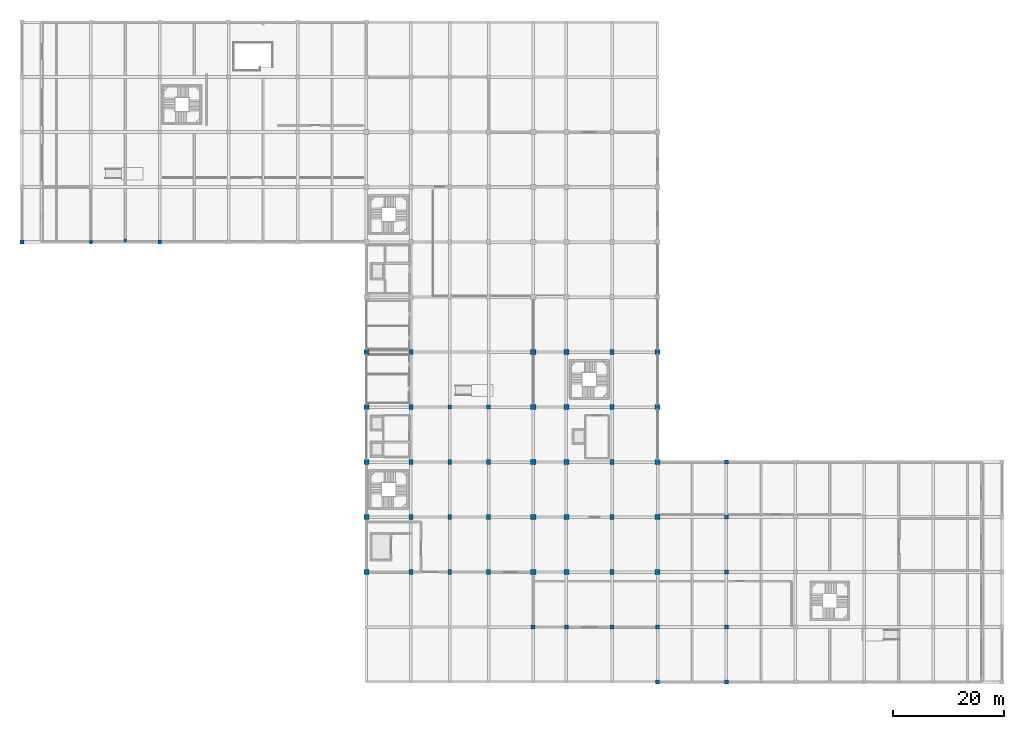
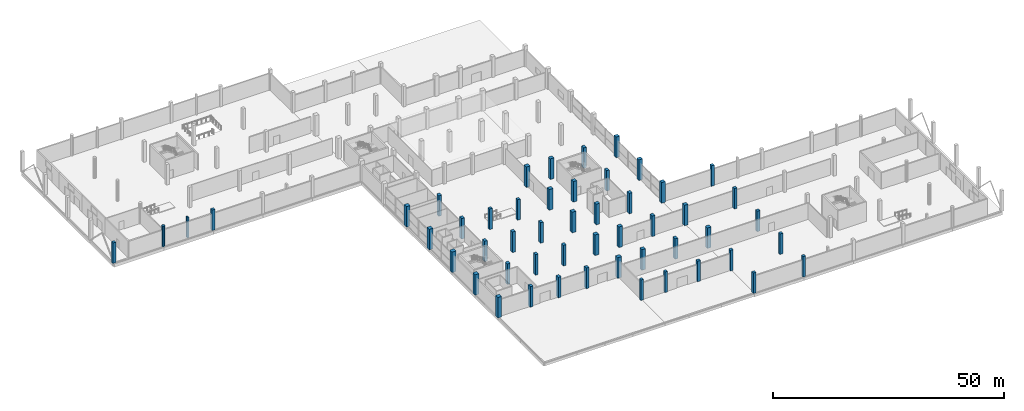
# One storey, part 1 of 50: 52 columns.
"""IFC4 building model written with IfcOpenShell, lengths in metres."""

from ifc_helpers import new_model, si_unit, direction, frame, origin, origin_2d, place, context, subcontext, project, spatial, rectangle, circle, extrude, material, material_profile, profile_set, type_object, element, save


model = new_model("IFC4")

# Units and contexts
model_context = context("Model", 3, precision=1e-05, world=origin(), true_north=direction((0.0, 1.0)))
body_context = subcontext(model_context, "Body", "Model", "MODEL_VIEW")
ifc_project = project(units=[si_unit("LENGTHUNIT", "METRE"), si_unit("AREAUNIT", "SQUARE_METRE"), si_unit("VOLUMEUNIT", "CUBIC_METRE"), si_unit("PLANEANGLEUNIT", "RADIAN"), si_unit("MASSUNIT", "GRAM", prefix="KILO")], contexts=[model_context])

# Site, building, storey
site_placement = place(None, origin())
site = spatial("IfcSite", under=ifc_project, at=site_placement, CompositionType="ELEMENT")
building_placement = place(site_placement, origin())
building = spatial("IfcBuilding", under=site, at=building_placement, Name="Sillaruma Civic Art Gallery", CompositionType="ELEMENT")
storey_placement = place(building_placement, origin())
storey = spatial("IfcBuildingStorey", under=building, at=storey_placement, Name="L00", CompositionType="ELEMENT", Elevation=0.0)

# Columns
ifc_material = material(Name="Concrete H40 (40 MPa)", Category="concrete")
ifc_material_profile_1 = material_profile(ifc_material, rectangle(XDim=0.699951171875, YDim=0.699951171875, at=origin_2d()), Name="RC700x700")
ifc_profile_set_1 = profile_set([ifc_material_profile_1], Name="Concrete H40 (40 MPa)")
column_type_1 = type_object("IfcColumnType", Name="COL-COLUMN-RC700x700", PredefinedType="COLUMN", material=ifc_profile_set_1)
for number, where, z_axis, x_axis, name in (
    (1, (0.0, 79.199951171875, 0.0), (0.0, 0.0, 1.0), (1.0, 0.0, 0.0), "Column C-06 (L00:A9)"),
    (2, (24.800048828125, 79.199951171875, 0.0), (0.0, 0.0, 1.0), (1.0, 0.0, 0.0), "Column C-06 (L00:C9)"),
    (3, (77.0, 49.5, 0.0), (0.0, 0.0, 1.0), (1.0, 0.0, 0.0), "Column C-06 (L00:H6)"),
    (4, (84.0, 49.5, 0.0), (0.0, 0.0, 1.0), (1.0, 0.0, 0.0), "Column C-06 (L00:J6)"),
    (5, (92.0, 9.89990234375, 0.0), (0.0, 0.0, 1.0), (1.0, 0.0, 0.0), "Column C-06 (L00:K2)"),
    (6, (98.0, 9.89990234375, 0.0), (0.0, 0.0, 1.0), (1.0, 0.0, 0.0), "Column C-06 (L00:L2)"),
    (7, (106.199951171875, 9.89990234375, 0.0), (0.0, 0.0, 1.0), (1.0, 0.0, 0.0), "Column C-06 (L00:M2)"),
    (8, (114.39990234375, 0.0, 0.0), (0.0, 0.0, 1.0), (1.0, 0.0, 0.0), "Column C-06 (L00:N1)"),
    (9, (114.39990234375, 9.89990234375, 0.0), (0.0, 0.0, 1.0), (1.0, 0.0, 0.0), "Column C-06 (L00:N2)"),
    (10, (126.800048828125, 0.0, 0.0), (0.0, 0.0, 1.0), (1.0, 0.0, 0.0), "Column C-06 (L00:P1)"),
    (11, (126.800048828125, 9.89990234375, 0.0), (0.0, 0.0, 1.0), (1.0, 0.0, 0.0), "Column C-06 (L00:P2)"),
    (12, (126.800048828125, 19.800048828125, 0.0), (0.0, 0.0, 1.0), (1.0, 0.0, 0.0), "Column C-06 (L00:P3)"),
    (13, (126.800048828125, 29.699951171875, 0.0), (0.0, 0.0, 1.0), (1.0, 0.0, 0.0), "Column C-06 (L00:P4)"),
    (14, (126.800048828125, 39.60009765625, 0.0), (0.0, 0.0, 1.0), (1.0, 0.0, 0.0), "Column C-06 (L00:P5)"),
):
    element("IfcColumn", number, at=place(storey_placement, frame(where, z_axis=z_axis, x_axis=x_axis)), inside=storey, type_object=column_type_1, Name=name, PredefinedType="COLUMN", context=body_context, shape_type="SweptSolid", body=[
        extrude(rectangle(XDim=0.699951171875, YDim=0.699951171875, at=origin_2d()), origin(), (0.0, 0.0, 1.0), 5.43994140625),
    ])
ifc_material_profile_2 = material_profile(ifc_material, rectangle(XDim=0.699951171875, YDim=0.89990234375, at=origin_2d()), Name="RC900x700")
ifc_profile_set_2 = profile_set([ifc_material_profile_2], Name="Concrete H40 (40 MPa)")
column_type_2 = type_object("IfcColumnType", Name="COL-COLUMN-RC900x700", PredefinedType="COLUMN", material=ifc_profile_set_2)
for number, where, z_axis, x_axis, name in (
    (15, (70.0, 19.800048828125, 0.0), (0.0, 0.0, 1.0), (1.0, 0.0, 0.0), "Column C-09 (L00:G3)"),
    (16, (70.0, 29.699951171875, 0.0), (0.0, 0.0, 1.0), (1.0, 0.0, 0.0), "Column C-09 (L00:G4)"),
    (17, (70.0, 39.60009765625, 0.0), (0.0, 0.0, 1.0), (1.0, 0.0, 0.0), "Column C-09 (L00:G5)"),
    (18, (70.0, 49.5, 0.0), (0.0, 0.0, 1.0), (1.0, 0.0, 0.0), "Column C-09 (L00:G6)"),
    (19, (70.0, 59.39990234375, 0.0), (0.0, 0.0, 1.0), (1.0, 0.0, 0.0), "Column C-09 (L00:G7)"),
    (20, (77.0, 19.800048828125, 0.0), (0.0, 0.0, 1.0), (1.0, 0.0, 0.0), "Column C-09 (L00:H3)"),
    (21, (77.0, 29.699951171875, 0.0), (0.0, 0.0, 1.0), (1.0, 0.0, 0.0), "Column C-09 (L00:H4)"),
    (22, (77.0, 39.60009765625, 0.0), (0.0, 0.0, 1.0), (1.0, 0.0, 0.0), "Column C-09 (L00:H5)"),
    (23, (84.0, 19.800048828125, 0.0), (0.0, 0.0, 1.0), (1.0, 0.0, 0.0), "Column C-09 (L00:J3)"),
    (24, (84.0, 29.699951171875, 0.0), (0.0, 0.0, 1.0), (1.0, 0.0, 0.0), "Column C-09 (L00:J4)"),
    (25, (84.0, 39.60009765625, 0.0), (0.0, 0.0, 1.0), (1.0, 0.0, 0.0), "Column C-09 (L00:J5)"),
    (26, (106.199951171875, 19.800048828125, 0.0), (0.0, 0.0, 1.0), (1.0, 0.0, 0.0), "Column C-09 (L00:M3)"),
    (27, (106.199951171875, 29.699951171875, 0.0), (0.0, 0.0, 1.0), (1.0, 0.0, 0.0), "Column C-09 (L00:M4)"),
    (28, (106.199951171875, 39.60009765625, 0.0), (0.0, 0.0, 1.0), (1.0, 0.0, 0.0), "Column C-09 (L00:M5)"),
    (29, (106.199951171875, 49.5, 0.0), (0.0, 0.0, 1.0), (1.0, 0.0, 0.0), "Column C-09 (L00:M6)"),
    (30, (106.199951171875, 59.39990234375, 0.0), (0.0, 0.0, 1.0), (1.0, 0.0, 0.0), "Column C-09 (L00:M7)"),
):
    element("IfcColumn", number, at=place(storey_placement, frame(where, z_axis=z_axis, x_axis=x_axis)), inside=storey, type_object=column_type_2, Name=name, PredefinedType="COLUMN", context=body_context, shape_type="SweptSolid", body=[
        extrude(rectangle(XDim=0.699951171875, YDim=0.89990234375, at=origin_2d()), origin(), (0.0, 0.0, 1.0), 5.43994140625),
    ])
ifc_material_profile_3 = material_profile(ifc_material, rectangle(XDim=0.89990234375, YDim=0.89990234375, at=origin_2d()), Name="RC900x900")
ifc_profile_set_3 = profile_set([ifc_material_profile_3], Name="Concrete H40 (40 MPa)")
column_type_3 = type_object("IfcColumnType", Name="COL-COLUMN-RC900x900", PredefinedType="COLUMN", material=ifc_profile_set_3)
for number, where, z_axis, x_axis, name in (
    (31, (98.0, 19.800048828125, 0.0), (0.0, 0.0, 1.0), (1.0, 0.0, 0.0), "Column C-02 (L00:L3)"),
    (32, (98.0, 29.699951171875, 0.0), (0.0, 0.0, 1.0), (1.0, 0.0, 0.0), "Column C-02 (L00:L4)"),
    (33, (98.0, 39.60009765625, 0.0), (0.0, 0.0, 1.0), (1.0, 0.0, 0.0), "Column C-02 (L00:L5)"),
    (34, (98.0, 49.5, 0.0), (0.0, 0.0, 1.0), (1.0, 0.0, 0.0), "Column C-02 (L00:L6)"),
    (35, (98.0, 59.39990234375, 0.0), (0.0, 0.0, 1.0), (1.0, 0.0, 0.0), "Column C-02 (L00:L7)"),
    (36, (114.39990234375, 19.800048828125, 0.0), (0.0, 0.0, 1.0), (1.0, 0.0, 0.0), "Column C-02 (L00:N3)"),
    (37, (114.39990234375, 29.699951171875, 0.0), (0.0, 0.0, 1.0), (1.0, 0.0, 0.0), "Column C-02 (L00:N4)"),
    (38, (114.39990234375, 39.60009765625, 0.0), (0.0, 0.0, 1.0), (1.0, 0.0, 0.0), "Column C-02 (L00:N5)"),
    (39, (114.39990234375, 49.5, 0.0), (0.0, 0.0, 1.0), (1.0, 0.0, 0.0), "Column C-02 (L00:N6)"),
    (40, (114.39990234375, 59.39990234375, 0.0), (0.0, 0.0, 1.0), (1.0, 0.0, 0.0), "Column C-02 (L00:N7)"),
):
    element("IfcColumn", number, at=place(storey_placement, frame(where, z_axis=z_axis, x_axis=x_axis)), inside=storey, type_object=column_type_3, Name=name, PredefinedType="COLUMN", context=body_context, shape_type="SweptSolid", body=[
        extrude(rectangle(XDim=0.89990234375, YDim=0.89990234375, at=origin_2d()), origin(), (0.0, 0.0, 1.0), 5.43994140625),
    ])
ifc_material_profile_4 = material_profile(ifc_material, rectangle(XDim=0.949951171875, YDim=0.949951171875, at=origin_2d()), Name="RC950x950")
ifc_profile_set_4 = profile_set([ifc_material_profile_4], Name="Concrete H40 (40 MPa)")
column_type_4 = type_object("IfcColumnType", Name="COL-COLUMN-RC950x950", PredefinedType="COLUMN", material=ifc_profile_set_4)
for number, where, z_axis, x_axis, name in (
    (41, (62.0, 19.800048828125, 0.0), (0.0, 0.0, 1.0), (1.0, 0.0, 0.0), "Column C-01 (L00:F3)"),
    (42, (62.0, 29.699951171875, 0.0), (0.0, 0.0, 1.0), (1.0, 0.0, 0.0), "Column C-01 (L00:F4)"),
    (43, (62.0, 39.60009765625, 0.0), (0.0, 0.0, 1.0), (1.0, 0.0, 0.0), "Column C-01 (L00:F5)"),
    (44, (62.0, 49.5, 0.0), (0.0, 0.0, 1.0), (1.0, 0.0, 0.0), "Column C-01 (L00:F6)"),
    (45, (62.0, 59.39990234375, 0.0), (0.0, 0.0, 1.0), (1.0, 0.0, 0.0), "Column C-01 (L00:F7)"),
    (46, (92.0, 19.800048828125, 0.0), (0.0, 0.0, 1.0), (1.0, 0.0, 0.0), "Column C-01 (L00:K3)"),
    (47, (92.0, 29.699951171875, 0.0), (0.0, 0.0, 1.0), (1.0, 0.0, 0.0), "Column C-01 (L00:K4)"),
    (48, (92.0, 39.60009765625, 0.0), (0.0, 0.0, 1.0), (1.0, 0.0, 0.0), "Column C-01 (L00:K5)"),
    (49, (92.0, 49.5, 0.0), (0.0, 0.0, 1.0), (1.0, 0.0, 0.0), "Column C-01 (L00:K6)"),
    (50, (92.0, 59.39990234375, 0.0), (0.0, 0.0, 1.0), (1.0, 0.0, 0.0), "Column C-01 (L00:K7)"),
):
    element("IfcColumn", number, at=place(storey_placement, frame(where, z_axis=z_axis, x_axis=x_axis)), inside=storey, type_object=column_type_4, Name=name, PredefinedType="COLUMN", context=body_context, shape_type="SweptSolid", body=[
        extrude(rectangle(XDim=0.949951171875, YDim=0.949951171875, at=origin_2d()), origin(), (0.0, 0.0, 1.0), 5.43994140625),
    ])
ifc_material_profile_5 = material_profile(ifc_material, circle(Radius=0.360107421875, at=origin_2d()), Name="RCC720")
ifc_profile_set_5 = profile_set([ifc_material_profile_5], Name="Concrete H40 (40 MPa)")
column_type_5 = type_object("IfcColumnType", Name="COL-COLUMN-RCC720", PredefinedType="COLUMN", material=ifc_profile_set_5)
column_1_placement = place(storey_placement, frame((12.39990234375, 79.199951171875, 0.0), z_axis=(0.0, 0.0, 1.0), x_axis=(1.0, 0.0, 0.0)))
element("IfcColumn", 51, at=column_1_placement, inside=storey, type_object=column_type_5, Name="Column CC-02 (L00:B9)", PredefinedType="COLUMN", context=body_context, shape_type="SweptSolid", body=[
    extrude(circle(Radius=0.360107421875, at=origin_2d()), origin(), (0.0, 0.0, 1.0), 5.43994140625),
])
ifc_material_profile_6 = material_profile(ifc_material, rectangle(XDim=0.3798828125, YDim=0.5, at=origin_2d()), Name="RC500x380")
ifc_profile_set_6 = profile_set([ifc_material_profile_6], Name="Concrete H40 (40 MPa)")
column_type_6 = type_object("IfcColumnType", Name="COL-PILASTER-RC500x380", PredefinedType="PILASTER", material=ifc_profile_set_6)
column_2_placement = place(storey_placement, frame((18.60009765625, 79.449951171875, 0.0), z_axis=(0.0, 0.0, 1.0), x_axis=(1.0, 0.0, 0.0)))
element("IfcColumn", 52, at=column_2_placement, inside=storey, type_object=column_type_6, Name="Pilaster CP-01 (L00:PIL-W1)", PredefinedType="PILASTER", context=body_context, shape_type="SweptSolid", body=[
    extrude(rectangle(XDim=0.3798828125, YDim=0.5, at=origin_2d()), origin(), (0.0, 0.0, 1.0), 5.43994140625),
])

save(model, "model.ifc")
